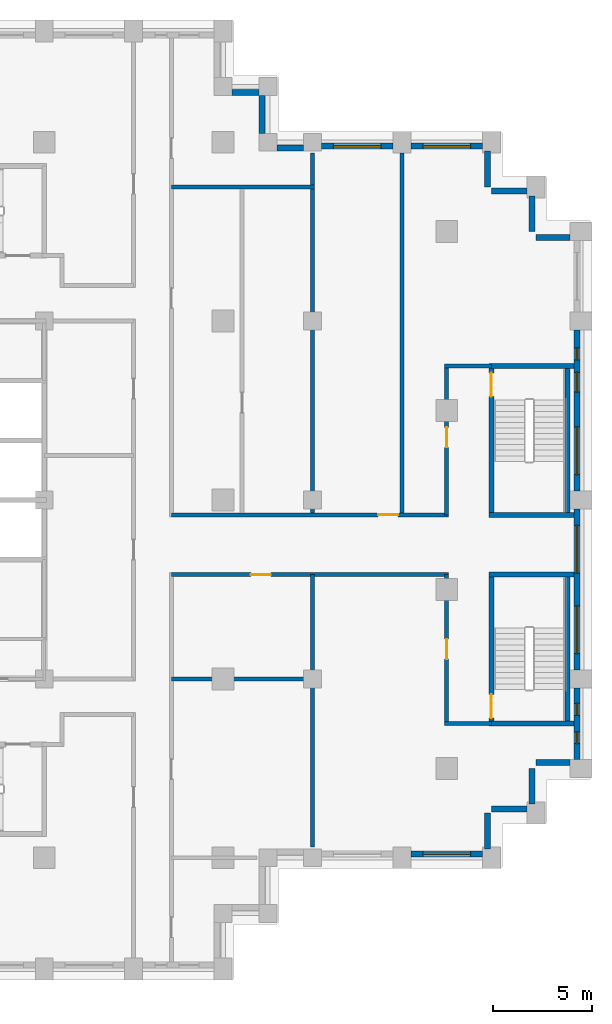
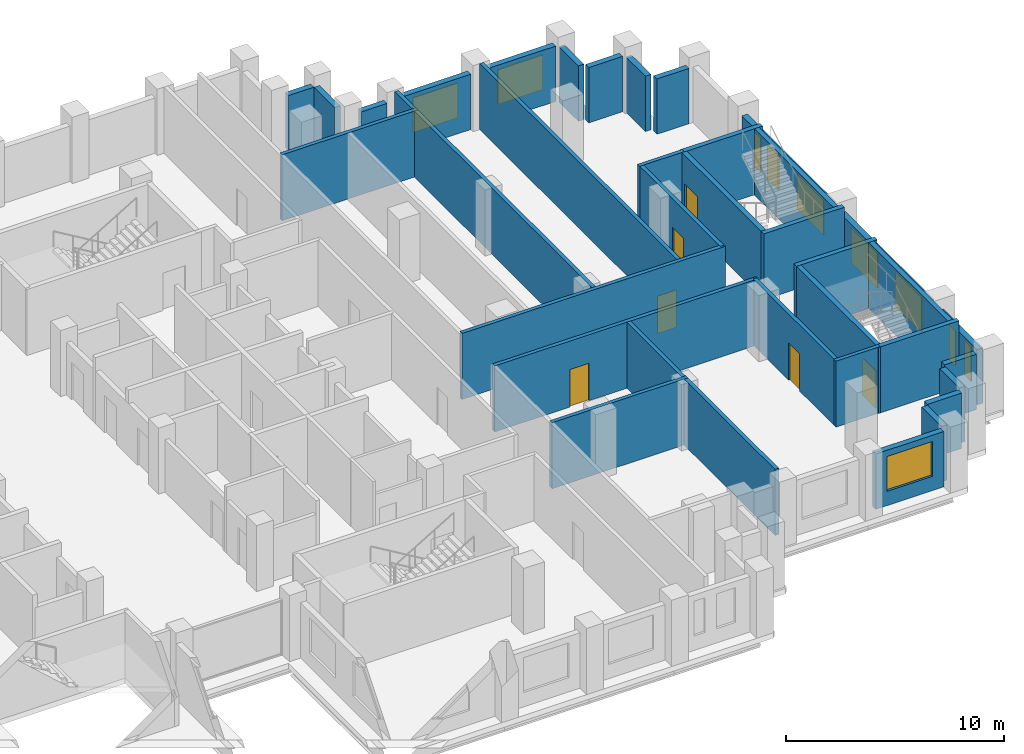
# One storey, part 12 of 16: 36 walls, 10 windows, 6 doors, 16 openings.
"""IFC4 building model written with IfcOpenShell, lengths in metres."""

from ifc_helpers import new_model, si_unit, direction, frame, frame_2d, origin, place, context, subcontext, project, spatial, rectangle, extrude, material, layer, layer_set, type_object, element, fill, save


model = new_model("IFC4")

# Units and contexts
model_context = context("Model", 3, precision=1e-05, world=origin(), true_north=direction((0.0, 1.0)))
body_context = subcontext(model_context, "Body", "Model", "MODEL_VIEW")
ifc_project = project(units=[si_unit("LENGTHUNIT", "METRE"), si_unit("AREAUNIT", "SQUARE_METRE"), si_unit("VOLUMEUNIT", "CUBIC_METRE"), si_unit("PLANEANGLEUNIT", "RADIAN"), si_unit("MASSUNIT", "GRAM", prefix="KILO")], contexts=[model_context])

# Site, building, storey
site_placement = place(None, origin())
site = spatial("IfcSite", under=ifc_project, at=site_placement, CompositionType="ELEMENT")
building_placement = place(site_placement, origin())
building = spatial("IfcBuilding", under=site, at=building_placement, Name="Corbelhall Arena Tower", CompositionType="ELEMENT")
storey_placement = place(building_placement, frame((0.0, 0.0, 158.0)))
storey = spatial("IfcBuildingStorey", under=building, at=storey_placement, Name="L31", CompositionType="ELEMENT", Elevation=158.0)

# Walls
ifc_material_1 = material(Name="Precast concrete C40/50 with granite facing", Category="masonry")
ifc_layer_1 = layer(ifc_material_1, 0.300048828125)
ifc_layer_set_1 = layer_set([ifc_layer_1], Name="EV-IW1 Infill panel 300")
wall_type_1 = type_object("IfcWallType", Name="EV-IW1 Infill panel 300", PredefinedType="SOLIDWALL", material=ifc_layer_set_1)
for number, where, z_axis, x_axis, name in (
    (1, (35.800048828125, -17.550048828125, 0.0), (0.0, 0.0, 1.0), (0.0, 1.0, 0.0), "Infill panel IW1"),
    (2, (37.800048828125, -15.550048828125, 0.0), (0.0, 0.0, 1.0), (-1.0, 0.0, 0.0), "Infill panel IW1"),
    (3, (38.050048828125, -15.300048828125, 0.0), (0.0, 0.0, 1.0), (0.0, 1.0, 0.0), "Infill panel IW1"),
):
    element("IfcWall", number, at=place(storey_placement, frame(where, z_axis=z_axis, x_axis=x_axis)), inside=storey, type_object=wall_type_1, Name=name, PredefinedType="SOLIDWALL", context=body_context, shape_type="SweptSolid", body=[
        extrude(rectangle(XDim=1.800048828125, YDim=0.300048828125, at=frame_2d((0.89990234375, 0.0))), origin(), (0.0, 0.0, 1.0), 3.10009765625),
    ])
for number, where, z_axis, x_axis, name in (
    (4, (39.949951171875, -13.199951171875, 0.0), (0.0, 0.0, 1.0), (-1.0, 0.0, 0.0), "Infill panel IW1"),
    (5, (39.949951171875, 13.199951171875, 0.0), (0.0, 0.0, 1.0), (-1.0, 0.0, 0.0), "Infill panel IW1"),
):
    element("IfcWall", number, at=place(storey_placement, frame(where, z_axis=z_axis, x_axis=x_axis)), inside=storey, type_object=wall_type_1, Name=name, PredefinedType="SOLIDWALL", context=body_context, shape_type="SweptSolid", body=[
        extrude(rectangle(XDim=1.699951171875, YDim=0.300048828125, at=frame_2d((0.85009765625, 0.0))), origin(), (0.0, 0.0, 1.0), 3.10009765625),
    ])
for number, where, z_axis, x_axis, name in (
    (6, (38.050048828125, 15.300048828125, 0.0), (0.0, 0.0, 1.0), (0.0, -1.0, 0.0), "Infill panel IW1"),
    (7, (37.800048828125, 15.550048828125, 0.0), (0.0, 0.0, 1.0), (-1.0, 0.0, 0.0), "Infill panel IW1"),
    (8, (35.800048828125, 17.550048828125, 0.0), (0.0, 0.0, 1.0), (0.0, -1.0, 0.0), "Infill panel IW1"),
):
    element("IfcWall", number, at=place(storey_placement, frame(where, z_axis=z_axis, x_axis=x_axis)), inside=storey, type_object=wall_type_1, Name=name, PredefinedType="SOLIDWALL", context=body_context, shape_type="SweptSolid", body=[
        extrude(rectangle(XDim=1.800048828125, YDim=0.300048828125, at=frame_2d((0.89990234375, 0.0))), origin(), (0.0, 0.0, 1.0), 3.10009765625),
    ])

# Wall, opening, window
wall_1_placement = place(storey_placement, frame((31.949951171875, -17.800048828125, 0.0), z_axis=(0.0, 0.0, 1.0), x_axis=(1.0, 0.0, 0.0)))
wall_1 = element("IfcWall", 9, at=wall_1_placement, inside=storey, type_object=wall_type_1, Name="Infill panel IW1", PredefinedType="SOLIDWALL", context=body_context, shape_type="SweptSolid", body=[
    extrude(rectangle(XDim=3.60009765625, YDim=0.300048828125, at=frame_2d((1.800048828125, 0.0))), origin(), (0.0, 0.0, 1.0), 3.10009765625),
])
opening_1_placement = place(wall_1_placement, frame((0.60009765625, 0.0, 0.800048828125)))
opening_1 = element("IfcOpeningElement", 10, at=opening_1_placement, cuts=wall_1, Name="Opening WN1", PredefinedType="OPENING", context=body_context, shape_type="SweptSolid", body=[
    extrude(rectangle(XDim=2.39990234375, YDim=1.949951171875, at=frame_2d((1.199951171875, 0.97509765625))), frame((0.0, 0.14990234375, 0.0), z_axis=(0.0, -1.0, 0.0), x_axis=(1.0, 0.0, 0.0)), (0.0, 0.0, 1.0), 0.300048828125),
])
ifc_material_2 = material(Name="Aluminium black anodised", Category="aluminium")
window_type_1 = type_object("IfcWindowType", Name="EV-WN1 Office window", PartitioningType="SINGLE_PANEL", PredefinedType="WINDOW", material=ifc_material_2)
window_1_placement = place(opening_1_placement, origin())
window_1 = element("IfcWindow", 11, at=window_1_placement, inside=storey, type_object=window_type_1, Name="Window WN1", OverallHeight=1.949951171875, OverallWidth=2.39990234375, PartitioningType="SINGLE_PANEL", PredefinedType="WINDOW", context=body_context, shape_type="SweptSolid", body=[
    extrude(rectangle(XDim=2.39990234375, YDim=1.949951171875, at=frame_2d((1.199951171875, 0.97509765625))), frame((0.0, 0.030029296875, 0.0), z_axis=(0.0, -1.0, 0.0), x_axis=(1.0, 0.0, 0.0)), (0.0, 0.0, 1.0), 0.06005859375),
])
fill(opening_1, window_1)

# Wall, openings, windows
wall_2_placement = place(storey_placement, frame((40.300048828125, -13.050048828125, 0.0), z_axis=(0.0, 0.0, 1.0), x_axis=(0.0, 1.0, 0.0)))
wall_2 = element("IfcWall", 12, at=wall_2_placement, inside=storey, type_object=wall_type_1, Name="Infill panel IW1", PredefinedType="SOLIDWALL", context=body_context, shape_type="SweptSolid", body=[
    extrude(rectangle(XDim=3.60009765625, YDim=0.300048828125, at=frame_2d((1.800048828125, 0.0))), origin(), (0.0, 0.0, 1.0), 3.10009765625),
])
opening_2_placement = place(wall_2_placement, frame((0.78759765625, 0.0, 0.800048828125)))
opening_2 = element("IfcOpeningElement", 13, at=opening_2_placement, cuts=wall_2, Name="Opening WN5", PredefinedType="OPENING", context=body_context, shape_type="SweptSolid", body=[
    extrude(rectangle(XDim=0.60009765625, YDim=1.949951171875, at=frame_2d((0.300048828125, 0.97509765625))), frame((0.0, 0.14990234375, 0.0), z_axis=(0.0, -1.0, 0.0), x_axis=(1.0, 0.0, 0.0)), (0.0, 0.0, 1.0), 0.300048828125),
])
opening_3_placement = place(wall_2_placement, frame((2.21240234375, 0.0, 0.800048828125)))
opening_3 = element("IfcOpeningElement", 14, at=opening_3_placement, cuts=wall_2, Name="Opening WN5", PredefinedType="OPENING", context=body_context, shape_type="SweptSolid", body=[
    extrude(rectangle(XDim=0.60009765625, YDim=1.949951171875, at=frame_2d((0.300048828125, 0.97509765625))), frame((0.0, 0.14990234375, 0.0), z_axis=(0.0, -1.0, 0.0), x_axis=(1.0, 0.0, 0.0)), (0.0, 0.0, 1.0), 0.300048828125),
])
window_type_2 = type_object("IfcWindowType", Name="EV-WN5 Office window 600", PartitioningType="SINGLE_PANEL", PredefinedType="WINDOW", material=ifc_material_2)
window_2_placement = place(opening_2_placement, origin())
window_2 = element("IfcWindow", 15, at=window_2_placement, inside=storey, type_object=window_type_2, Name="Window WN5", OverallHeight=1.949951171875, OverallWidth=0.60009765625, PartitioningType="SINGLE_PANEL", PredefinedType="WINDOW", context=body_context, shape_type="SweptSolid", body=[
    extrude(rectangle(XDim=0.60009765625, YDim=1.949951171875, at=frame_2d((0.300048828125, 0.97509765625))), frame((0.0, 0.030029296875, 0.0), z_axis=(0.0, -1.0, 0.0), x_axis=(1.0, 0.0, 0.0)), (0.0, 0.0, 1.0), 0.06005859375),
])
fill(opening_2, window_2)
window_3_placement = place(opening_3_placement, origin())
window_3 = element("IfcWindow", 16, at=window_3_placement, inside=storey, type_object=window_type_2, Name="Window WN5", OverallHeight=1.949951171875, OverallWidth=0.60009765625, PartitioningType="SINGLE_PANEL", PredefinedType="WINDOW", context=body_context, shape_type="SweptSolid", body=[
    extrude(rectangle(XDim=0.60009765625, YDim=1.949951171875, at=frame_2d((0.300048828125, 0.97509765625))), frame((0.0, 0.030029296875, 0.0), z_axis=(0.0, -1.0, 0.0), x_axis=(1.0, 0.0, 0.0)), (0.0, 0.0, 1.0), 0.06005859375),
])
fill(opening_3, window_3)

wall_3_placement = place(storey_placement, frame((40.300048828125, -8.550048828125, 0.0), z_axis=(0.0, 0.0, 1.0), x_axis=(0.0, 1.0, 0.0)))
wall_3 = element("IfcWall", 17, at=wall_3_placement, inside=storey, type_object=wall_type_1, Name="Infill panel IW1", PredefinedType="SOLIDWALL", context=body_context, shape_type="SweptSolid", body=[
    extrude(rectangle(XDim=8.10009765625, YDim=0.300048828125, at=frame_2d((4.050048828125, 0.0))), origin(), (0.0, 0.0, 1.0), 3.10009765625),
])
opening_4_placement = place(wall_3_placement, frame((0.824951171875, 0.0, 0.800048828125)))
opening_4 = element("IfcOpeningElement", 18, at=opening_4_placement, cuts=wall_3, Name="Opening WN1", PredefinedType="OPENING", context=body_context, shape_type="SweptSolid", body=[
    extrude(rectangle(XDim=2.39990234375, YDim=1.949951171875, at=frame_2d((1.199951171875, 0.97509765625))), frame((0.0, 0.14990234375, 0.0), z_axis=(0.0, -1.0, 0.0), x_axis=(1.0, 0.0, 0.0)), (0.0, 0.0, 1.0), 0.300048828125),
])
opening_5_placement = place(wall_3_placement, frame((4.875, 0.0, 0.800048828125)))
opening_5 = element("IfcOpeningElement", 19, at=opening_5_placement, cuts=wall_3, Name="Opening WN1", PredefinedType="OPENING", context=body_context, shape_type="SweptSolid", body=[
    extrude(rectangle(XDim=2.39990234375, YDim=1.949951171875, at=frame_2d((1.199951171875, 0.97509765625))), frame((0.0, 0.14990234375, 0.0), z_axis=(0.0, -1.0, 0.0), x_axis=(1.0, 0.0, 0.0)), (0.0, 0.0, 1.0), 0.300048828125),
])
window_4_placement = place(opening_4_placement, origin())
window_4 = element("IfcWindow", 20, at=window_4_placement, inside=storey, type_object=window_type_1, Name="Window WN1", OverallHeight=1.949951171875, OverallWidth=2.39990234375, PartitioningType="SINGLE_PANEL", PredefinedType="WINDOW", context=body_context, shape_type="SweptSolid", body=[
    extrude(rectangle(XDim=2.39990234375, YDim=1.949951171875, at=frame_2d((1.199951171875, 0.97509765625))), frame((0.0, 0.030029296875, 0.0), z_axis=(0.0, -1.0, 0.0), x_axis=(1.0, 0.0, 0.0)), (0.0, 0.0, 1.0), 0.06005859375),
])
fill(opening_4, window_4)
window_5_placement = place(opening_5_placement, origin())
window_5 = element("IfcWindow", 21, at=window_5_placement, inside=storey, type_object=window_type_1, Name="Window WN1", OverallHeight=1.949951171875, OverallWidth=2.39990234375, PartitioningType="SINGLE_PANEL", PredefinedType="WINDOW", context=body_context, shape_type="SweptSolid", body=[
    extrude(rectangle(XDim=2.39990234375, YDim=1.949951171875, at=frame_2d((1.199951171875, 0.97509765625))), frame((0.0, 0.030029296875, 0.0), z_axis=(0.0, -1.0, 0.0), x_axis=(1.0, 0.0, 0.0)), (0.0, 0.0, 1.0), 0.06005859375),
])
fill(opening_5, window_5)

wall_4_placement = place(storey_placement, frame((40.300048828125, 0.449951171875, 0.0), z_axis=(0.0, 0.0, 1.0), x_axis=(0.0, 1.0, 0.0)))
wall_4 = element("IfcWall", 22, at=wall_4_placement, inside=storey, type_object=wall_type_1, Name="Infill panel IW1", PredefinedType="SOLIDWALL", context=body_context, shape_type="SweptSolid", body=[
    extrude(rectangle(XDim=8.10009765625, YDim=0.300048828125, at=frame_2d((4.050048828125, 0.0))), origin(), (0.0, 0.0, 1.0), 3.10009765625),
])
opening_6_placement = place(wall_4_placement, frame((0.824951171875, 0.0, 0.800048828125)))
opening_6 = element("IfcOpeningElement", 23, at=opening_6_placement, cuts=wall_4, Name="Opening WN1", PredefinedType="OPENING", context=body_context, shape_type="SweptSolid", body=[
    extrude(rectangle(XDim=2.39990234375, YDim=1.949951171875, at=frame_2d((1.199951171875, 0.97509765625))), frame((0.0, 0.14990234375, 0.0), z_axis=(0.0, -1.0, 0.0), x_axis=(1.0, 0.0, 0.0)), (0.0, 0.0, 1.0), 0.300048828125),
])
opening_7_placement = place(wall_4_placement, frame((4.97509765625, 0.0, 0.800048828125)))
opening_7 = element("IfcOpeningElement", 24, at=opening_7_placement, cuts=wall_4, Name="Opening WN6", PredefinedType="OPENING", context=body_context, shape_type="SweptSolid", body=[
    extrude(rectangle(XDim=1.0, YDim=1.949951171875, at=frame_2d((0.5, 0.97509765625))), frame((0.0, 0.14990234375, 0.0), z_axis=(0.0, -1.0, 0.0), x_axis=(1.0, 0.0, 0.0)), (0.0, 0.0, 1.0), 0.300048828125),
])
opening_8_placement = place(wall_4_placement, frame((6.60009765625, 0.0, 0.800048828125)))
opening_8 = element("IfcOpeningElement", 25, at=opening_8_placement, cuts=wall_4, Name="Opening WN5", PredefinedType="OPENING", context=body_context, shape_type="SweptSolid", body=[
    extrude(rectangle(XDim=0.60009765625, YDim=1.949951171875, at=frame_2d((0.300048828125, 0.97509765625))), frame((0.0, 0.14990234375, 0.0), z_axis=(0.0, -1.0, 0.0), x_axis=(1.0, 0.0, 0.0)), (0.0, 0.0, 1.0), 0.300048828125),
])
window_6_placement = place(opening_6_placement, origin())
window_6 = element("IfcWindow", 26, at=window_6_placement, inside=storey, type_object=window_type_1, Name="Window WN1", OverallHeight=1.949951171875, OverallWidth=2.39990234375, PartitioningType="SINGLE_PANEL", PredefinedType="WINDOW", context=body_context, shape_type="SweptSolid", body=[
    extrude(rectangle(XDim=2.39990234375, YDim=1.949951171875, at=frame_2d((1.199951171875, 0.97509765625))), frame((0.0, 0.030029296875, 0.0), z_axis=(0.0, -1.0, 0.0), x_axis=(1.0, 0.0, 0.0)), (0.0, 0.0, 1.0), 0.06005859375),
])
fill(opening_6, window_6)
window_7_placement = place(opening_8_placement, origin())
window_7 = element("IfcWindow", 27, at=window_7_placement, inside=storey, type_object=window_type_2, Name="Window WN5", OverallHeight=1.949951171875, OverallWidth=0.60009765625, PartitioningType="SINGLE_PANEL", PredefinedType="WINDOW", context=body_context, shape_type="SweptSolid", body=[
    extrude(rectangle(XDim=0.60009765625, YDim=1.949951171875, at=frame_2d((0.300048828125, 0.97509765625))), frame((0.0, 0.030029296875, 0.0), z_axis=(0.0, -1.0, 0.0), x_axis=(1.0, 0.0, 0.0)), (0.0, 0.0, 1.0), 0.06005859375),
])
fill(opening_8, window_7)
window_type_3 = type_object("IfcWindowType", Name="EV-WN6 Office window 1000", PartitioningType="SINGLE_PANEL", PredefinedType="WINDOW", material=ifc_material_2)
window_8_placement = place(opening_7_placement, origin())
window_8 = element("IfcWindow", 28, at=window_8_placement, inside=storey, type_object=window_type_3, Name="Window WN6", OverallHeight=1.949951171875, OverallWidth=1.0, PartitioningType="SINGLE_PANEL", PredefinedType="WINDOW", context=body_context, shape_type="SweptSolid", body=[
    extrude(rectangle(XDim=1.0, YDim=1.949951171875, at=frame_2d((0.5, 0.97509765625))), frame((0.0, 0.030029296875, 0.0), z_axis=(0.0, -1.0, 0.0), x_axis=(1.0, 0.0, 0.0)), (0.0, 0.0, 1.0), 0.06005859375),
])
fill(opening_7, window_8)

# Wall, opening, window
wall_5_placement = place(storey_placement, frame((35.550048828125, 17.800048828125, 0.0), z_axis=(0.0, 0.0, 1.0), x_axis=(-1.0, 0.0, 0.0)))
wall_5 = element("IfcWall", 29, at=wall_5_placement, inside=storey, type_object=wall_type_1, Name="Infill panel IW1", PredefinedType="SOLIDWALL", context=body_context, shape_type="SweptSolid", body=[
    extrude(rectangle(XDim=3.60009765625, YDim=0.300048828125, at=frame_2d((1.800048828125, 0.0))), origin(), (0.0, 0.0, 1.0), 3.10009765625),
])
opening_9_placement = place(wall_5_placement, frame((0.60009765625, 0.0, 0.800048828125)))
opening_9 = element("IfcOpeningElement", 30, at=opening_9_placement, cuts=wall_5, Name="Opening WN1", PredefinedType="OPENING", context=body_context, shape_type="SweptSolid", body=[
    extrude(rectangle(XDim=2.39990234375, YDim=1.949951171875, at=frame_2d((1.199951171875, 0.97509765625))), frame((0.0, 0.14990234375, 0.0), z_axis=(0.0, -1.0, 0.0), x_axis=(1.0, 0.0, 0.0)), (0.0, 0.0, 1.0), 0.300048828125),
])
window_9_placement = place(opening_9_placement, origin())
window_9 = element("IfcWindow", 31, at=window_9_placement, inside=storey, type_object=window_type_1, Name="Window WN1", OverallHeight=1.949951171875, OverallWidth=2.39990234375, PartitioningType="SINGLE_PANEL", PredefinedType="WINDOW", context=body_context, shape_type="SweptSolid", body=[
    extrude(rectangle(XDim=2.39990234375, YDim=1.949951171875, at=frame_2d((1.199951171875, 0.97509765625))), frame((0.0, 0.030029296875, 0.0), z_axis=(0.0, -1.0, 0.0), x_axis=(1.0, 0.0, 0.0)), (0.0, 0.0, 1.0), 0.06005859375),
])
fill(opening_9, window_9)

wall_6_placement = place(storey_placement, frame((31.050048828125, 17.800048828125, 0.0), z_axis=(0.0, 0.0, 1.0), x_axis=(-1.0, 0.0, 0.0)))
wall_6 = element("IfcWall", 32, at=wall_6_placement, inside=storey, type_object=wall_type_1, Name="Infill panel IW1", PredefinedType="SOLIDWALL", context=body_context, shape_type="SweptSolid", body=[
    extrude(rectangle(XDim=3.60009765625, YDim=0.300048828125, at=frame_2d((1.800048828125, 0.0))), origin(), (0.0, 0.0, 1.0), 3.10009765625),
])
opening_10_placement = place(wall_6_placement, frame((0.60009765625, 0.0, 0.800048828125)))
opening_10 = element("IfcOpeningElement", 33, at=opening_10_placement, cuts=wall_6, Name="Opening WN1", PredefinedType="OPENING", context=body_context, shape_type="SweptSolid", body=[
    extrude(rectangle(XDim=2.39990234375, YDim=1.949951171875, at=frame_2d((1.199951171875, 0.97509765625))), frame((0.0, 0.14990234375, 0.0), z_axis=(0.0, -1.0, 0.0), x_axis=(1.0, 0.0, 0.0)), (0.0, 0.0, 1.0), 0.300048828125),
])
window_10_placement = place(opening_10_placement, origin())
window_10 = element("IfcWindow", 34, at=window_10_placement, inside=storey, type_object=window_type_1, Name="Window WN1", OverallHeight=1.949951171875, OverallWidth=2.39990234375, PartitioningType="SINGLE_PANEL", PredefinedType="WINDOW", context=body_context, shape_type="SweptSolid", body=[
    extrude(rectangle(XDim=2.39990234375, YDim=1.949951171875, at=frame_2d((1.199951171875, 0.97509765625))), frame((0.0, 0.030029296875, 0.0), z_axis=(0.0, -1.0, 0.0), x_axis=(1.0, 0.0, 0.0)), (0.0, 0.0, 1.0), 0.06005859375),
])
fill(opening_10, window_10)

# Walls
wall_7_placement = place(storey_placement, frame((26.550048828125, 17.699951171875, 0.0), z_axis=(0.0, 0.0, 1.0), x_axis=(-1.0, 0.0, 0.0)))
element("IfcWall", 35, at=wall_7_placement, inside=storey, type_object=wall_type_1, Name="Infill panel IW1", PredefinedType="SOLIDWALL", context=body_context, shape_type="SweptSolid", body=[
    extrude(rectangle(XDim=1.35009765625, YDim=0.300048828125, at=frame_2d((0.675048828125, 0.0))), origin(), (0.0, 0.0, 1.0), 3.10009765625),
])
wall_8_placement = place(storey_placement, frame((24.449951171875, 18.449951171875, 0.0), z_axis=(0.0, 0.0, 1.0), x_axis=(0.0, 1.0, 0.0)))
element("IfcWall", 36, at=wall_8_placement, inside=storey, type_object=wall_type_1, Name="Infill panel IW1", PredefinedType="SOLIDWALL", context=body_context, shape_type="SweptSolid", body=[
    extrude(rectangle(XDim=1.900146484375, YDim=0.300048828125, at=frame_2d((0.9501953125, 0.0))), origin(), (0.0, 0.0, 1.0), 3.10009765625),
])
wall_9_placement = place(storey_placement, frame((24.300048828125, 20.5, 0.0), z_axis=(0.0, 0.0, 1.0), x_axis=(-1.0, 0.0, 0.0)))
element("IfcWall", 37, at=wall_9_placement, inside=storey, type_object=wall_type_1, Name="Infill panel IW1", PredefinedType="SOLIDWALL", context=body_context, shape_type="SweptSolid", body=[
    extrude(rectangle(XDim=1.35009765625, YDim=0.300048828125, at=frame_2d((0.675048828125, 0.0))), origin(), (0.0, 0.0, 1.0), 3.10009765625),
])
ifc_material_3 = material(Name="Gypsum board on steel stud, acoustic", Category="steel")
ifc_layer_2 = layer(ifc_material_3, 0.199951171875)
ifc_layer_set_2 = layer_set([ifc_layer_2], Name="IN-W-DM200")
wall_type_2 = type_object("IfcWallType", Name="IN-W-DM200", PredefinedType="PARTITIONING", material=ifc_layer_set_2)
wall_10_placement = place(storey_placement, frame((19.89990234375, -9.0, 0.0), z_axis=(0.0, 0.0, 1.0), x_axis=(1.0, 0.0, 0.0)))
element("IfcWall", 38, at=wall_10_placement, inside=storey, type_object=wall_type_2, Name="Partition 051", PredefinedType="PARTITIONING", context=body_context, shape_type="SweptSolid", body=[
    extrude(rectangle(XDim=7.2001953125, YDim=0.199951171875, at=frame_2d((3.60009765625, 0.0))), origin(), (0.0, 0.0, 1.0), 3.699951171875),
])

# Wall, opening, door
wall_11_placement = place(storey_placement, frame((19.89990234375, -0.75, 0.0), z_axis=(0.0, 0.0, 1.0), x_axis=(1.0, 0.0, 0.0)))
wall_11 = element("IfcWall", 39, at=wall_11_placement, inside=storey, type_object=wall_type_2, Name="Partition 052", PredefinedType="PARTITIONING", context=body_context, shape_type="SweptSolid", body=[
    extrude(rectangle(XDim=13.9501953125, YDim=0.199951171875, at=frame_2d((6.97509765625, 0.0))), origin(), (0.0, 0.0, 1.0), 3.699951171875),
])
opening_11_placement = place(wall_11_placement, frame((10.39990234375, 0.0, 0.0)))
opening_11 = element("IfcOpeningElement", 40, at=opening_11_placement, cuts=wall_11, Name="Opening 08045", PredefinedType="OPENING", context=body_context, shape_type="SweptSolid", body=[
    extrude(rectangle(XDim=1.0, YDim=2.10009765625, at=frame_2d((0.5, 1.050048828125))), frame((0.0, 0.10009765625, 0.0), z_axis=(0.0, -1.0, 0.0), x_axis=(1.0, 0.0, 0.0)), (0.0, 0.0, 1.0), 0.199951171875),
])
ifc_material_4 = material(Name="Steel door set", Category="steel")
door_type_1 = type_object("IfcDoorType", Name="IN-D-SW100", OperationType="NOTDEFINED", PredefinedType="DOOR", material=ifc_material_4)
door_1_placement = place(opening_11_placement, origin())
door_1 = element("IfcDoor", 41, at=door_1_placement, inside=storey, type_object=door_type_1, Name="Door 045", OperationType="SINGLE_SWING_RIGHT", OverallHeight=2.10009765625, OverallWidth=1.0, PredefinedType="DOOR", context=body_context, shape_type="SweptSolid", body=[
    extrude(rectangle(XDim=1.0, YDim=2.10009765625, at=frame_2d((0.5, 1.050048828125))), frame((0.0, 0.02490234375, 0.0), z_axis=(0.0, -1.0, 0.0), x_axis=(1.0, 0.0, 0.0)), (0.0, 0.0, 1.0), 0.050048828125),
])
fill(opening_11, door_1)

# Walls
wall_12_placement = place(storey_placement, frame((19.89990234375, 15.75, 0.0), z_axis=(0.0, 0.0, 1.0), x_axis=(1.0, 0.0, 0.0)))
element("IfcWall", 42, at=wall_12_placement, inside=storey, type_object=wall_type_2, Name="Partition 053", PredefinedType="PARTITIONING", context=body_context, shape_type="SweptSolid", body=[
    extrude(rectangle(XDim=7.2001953125, YDim=0.199951171875, at=frame_2d((3.60009765625, 0.0))), origin(), (0.0, 0.0, 1.0), 3.699951171875),
])
wall_13_placement = place(storey_placement, frame((27.0, -3.75, 0.0), z_axis=(0.0, 0.0, 1.0), x_axis=(0.0, -1.0, 0.0)))
element("IfcWall", 43, at=wall_13_placement, inside=storey, type_object=wall_type_2, Name="Partition 056", PredefinedType="PARTITIONING", context=body_context, shape_type="SweptSolid", body=[
    extrude(rectangle(XDim=13.699951171875, YDim=0.199951171875, at=frame_2d((6.85009765625, 0.0))), origin(), (0.0, 0.0, 1.0), 3.699951171875),
])
wall_14_placement = place(storey_placement, frame((27.0, 17.449951171875, 0.0), z_axis=(0.0, 0.0, 1.0), x_axis=(0.0, -1.0, 0.0)))
element("IfcWall", 44, at=wall_14_placement, inside=storey, type_object=wall_type_2, Name="Partition 057", PredefinedType="PARTITIONING", context=body_context, shape_type="SweptSolid", body=[
    extrude(rectangle(XDim=18.199951171875, YDim=0.199951171875, at=frame_2d((9.10009765625, 0.0))), origin(), (0.0, 0.0, 1.0), 3.699951171875),
])

# Wall, opening, door
wall_15_placement = place(storey_placement, frame((33.85009765625, -3.75, 0.0), z_axis=(0.0, 0.0, 1.0), x_axis=(-1.0, 0.0, 0.0)))
wall_15 = element("IfcWall", 45, at=wall_15_placement, inside=storey, type_object=wall_type_2, Name="Partition 058", PredefinedType="PARTITIONING", context=body_context, shape_type="SweptSolid", body=[
    extrude(rectangle(XDim=13.9501953125, YDim=0.199951171875, at=frame_2d((6.97509765625, 0.0))), origin(), (0.0, 0.0, 1.0), 3.699951171875),
])
opening_12_placement = place(wall_15_placement, frame((8.949951171875, 0.0, 0.0)))
opening_12 = element("IfcOpeningElement", 46, at=opening_12_placement, cuts=wall_15, Name="Opening 08041", PredefinedType="OPENING", context=body_context, shape_type="SweptSolid", body=[
    extrude(rectangle(XDim=1.0, YDim=2.10009765625, at=frame_2d((0.5, 1.050048828125))), frame((0.0, 0.10009765625, 0.0), z_axis=(0.0, -1.0, 0.0), x_axis=(1.0, 0.0, 0.0)), (0.0, 0.0, 1.0), 0.199951171875),
])
door_2_placement = place(opening_12_placement, origin())
door_2 = element("IfcDoor", 47, at=door_2_placement, inside=storey, type_object=door_type_1, Name="Door 041", OperationType="SINGLE_SWING_RIGHT", OverallHeight=2.10009765625, OverallWidth=1.0, PredefinedType="DOOR", context=body_context, shape_type="SweptSolid", body=[
    extrude(rectangle(XDim=1.0, YDim=2.10009765625, at=frame_2d((0.5, 1.050048828125))), frame((0.0, 0.02490234375, 0.0), z_axis=(0.0, -1.0, 0.0), x_axis=(1.0, 0.0, 0.0)), (0.0, 0.0, 1.0), 0.050048828125),
])
fill(opening_12, door_2)

# Walls
wall_16_placement = place(storey_placement, frame((31.5, 17.449951171875, 0.0), z_axis=(0.0, 0.0, 1.0), x_axis=(0.0, -1.0, 0.0)))
element("IfcWall", 48, at=wall_16_placement, inside=storey, type_object=wall_type_2, Name="Partition 059", PredefinedType="PARTITIONING", context=body_context, shape_type="SweptSolid", body=[
    extrude(rectangle(XDim=18.199951171875, YDim=0.199951171875, at=frame_2d((9.10009765625, 0.0))), origin(), (0.0, 0.0, 1.0), 3.699951171875),
])
wall_17_placement = place(storey_placement, frame((33.64990234375, 6.75, 0.0), z_axis=(0.0, 0.0, 1.0), x_axis=(1.0, 0.0, 0.0)))
element("IfcWall", 49, at=wall_17_placement, inside=storey, type_object=wall_type_2, Name="Partition 060", PredefinedType="PARTITIONING", context=body_context, shape_type="SweptSolid", body=[
    extrude(rectangle(XDim=2.35009765625, YDim=0.199951171875, at=frame_2d((1.175048828125, 0.0))), origin(), (0.0, 0.0, 1.0), 3.699951171875),
])

# Wall, opening, door
wall_18_placement = place(storey_placement, frame((33.75, -11.25, 0.0), z_axis=(0.0, 0.0, 1.0), x_axis=(0.0, 1.0, 0.0)))
wall_18 = element("IfcWall", 50, at=wall_18_placement, inside=storey, type_object=wall_type_2, Name="Partition 061", PredefinedType="PARTITIONING", context=body_context, shape_type="SweptSolid", body=[
    extrude(rectangle(XDim=7.5, YDim=0.199951171875, at=frame_2d((3.75, 0.0))), origin(), (0.0, 0.0, 1.0), 3.699951171875),
])
opening_13_placement = place(wall_18_placement, frame((3.25, 0.0, 0.0)))
opening_13 = element("IfcOpeningElement", 51, at=opening_13_placement, cuts=wall_18, Name="Opening 08047", PredefinedType="OPENING", context=body_context, shape_type="SweptSolid", body=[
    extrude(rectangle(XDim=1.0, YDim=2.10009765625, at=frame_2d((0.5, 1.050048828125))), frame((0.0, 0.10009765625, 0.0), z_axis=(0.0, -1.0, 0.0), x_axis=(1.0, 0.0, 0.0)), (0.0, 0.0, 1.0), 0.199951171875),
])
door_3_placement = place(opening_13_placement, origin())
door_3 = element("IfcDoor", 52, at=door_3_placement, inside=storey, type_object=door_type_1, Name="Door 047", OperationType="SINGLE_SWING_RIGHT", OverallHeight=2.10009765625, OverallWidth=1.0, PredefinedType="DOOR", context=body_context, shape_type="SweptSolid", body=[
    extrude(rectangle(XDim=1.0, YDim=2.10009765625, at=frame_2d((0.5, 1.050048828125))), frame((0.0, 0.02490234375, 0.0), z_axis=(0.0, -1.0, 0.0), x_axis=(1.0, 0.0, 0.0)), (0.0, 0.0, 1.0), 0.050048828125),
])
fill(opening_13, door_3)

wall_19_placement = place(storey_placement, frame((33.75, -0.75, 0.0), z_axis=(0.0, 0.0, 1.0), x_axis=(0.0, 1.0, 0.0)))
wall_19 = element("IfcWall", 53, at=wall_19_placement, inside=storey, type_object=wall_type_2, Name="Partition 062", PredefinedType="PARTITIONING", context=body_context, shape_type="SweptSolid", body=[
    extrude(rectangle(XDim=7.5, YDim=0.199951171875, at=frame_2d((3.75, 0.0))), origin(), (0.0, 0.0, 1.0), 3.699951171875),
])
opening_14_placement = place(wall_19_placement, frame((3.39990234375, 0.0, 0.0)))
opening_14 = element("IfcOpeningElement", 54, at=opening_14_placement, cuts=wall_19, Name="Opening 08046", PredefinedType="OPENING", context=body_context, shape_type="SweptSolid", body=[
    extrude(rectangle(XDim=1.0, YDim=2.10009765625, at=frame_2d((0.5, 1.050048828125))), frame((0.0, 0.10009765625, 0.0), z_axis=(0.0, -1.0, 0.0), x_axis=(1.0, 0.0, 0.0)), (0.0, 0.0, 1.0), 0.199951171875),
])
door_4_placement = place(opening_14_placement, origin())
door_4 = element("IfcDoor", 55, at=door_4_placement, inside=storey, type_object=door_type_1, Name="Door 046", OperationType="SINGLE_SWING_LEFT", OverallHeight=2.10009765625, OverallWidth=1.0, PredefinedType="DOOR", context=body_context, shape_type="SweptSolid", body=[
    extrude(rectangle(XDim=1.0, YDim=2.10009765625, at=frame_2d((0.5, 1.050048828125))), frame((0.0, 0.02490234375, 0.0), z_axis=(0.0, -1.0, 0.0), x_axis=(1.0, 0.0, 0.0)), (0.0, 0.0, 1.0), 0.050048828125),
])
fill(opening_14, door_4)

# Walls
wall_20_placement = place(storey_placement, frame((36.0, -11.25, 0.0), z_axis=(0.0, 0.0, 1.0), x_axis=(-1.0, 0.0, 0.0)))
element("IfcWall", 56, at=wall_20_placement, inside=storey, type_object=wall_type_2, Name="Partition 063", PredefinedType="PARTITIONING", context=body_context, shape_type="SweptSolid", body=[
    extrude(rectangle(XDim=2.35009765625, YDim=0.199951171875, at=frame_2d((1.175048828125, 0.0))), origin(), (0.0, 0.0, 1.0), 3.699951171875),
])
ifc_material_5 = material(Name="Concrete C40/50", Category="concrete")
ifc_layer_3 = layer(ifc_material_5, 0.25)
ifc_layer_set_3 = layer_set([ifc_layer_3], Name="IN-W-ST250")
wall_type_3 = type_object("IfcWallType", Name="IN-W-ST250", PredefinedType="SOLIDWALL", material=ifc_layer_set_3)
wall_21_placement = place(storey_placement, frame((35.875, -0.75, 0.0), z_axis=(0.0, 0.0, 1.0), x_axis=(1.0, 0.0, 0.0)))
element("IfcWall", 57, at=wall_21_placement, inside=storey, type_object=wall_type_3, Name="Shaft wall 123", PredefinedType="SOLIDWALL", context=body_context, shape_type="SweptSolid", body=[
    extrude(rectangle(XDim=4.27490234375, YDim=0.25, at=frame_2d((2.137451171875, 0.0))), origin(), (0.0, 0.0, 1.0), 3.699951171875),
])

# Wall, opening, door
wall_22_placement = place(storey_placement, frame((36.0, -11.375, 0.0), z_axis=(0.0, 0.0, 1.0), x_axis=(0.0, 1.0, 0.0)))
wall_22 = element("IfcWall", 58, at=wall_22_placement, inside=storey, type_object=wall_type_3, Name="Shaft wall 124", PredefinedType="SOLIDWALL", context=body_context, shape_type="SweptSolid", body=[
    extrude(rectangle(XDim=7.625, YDim=0.25, at=frame_2d((3.8125, 0.0))), origin(), (0.0, 0.0, 1.0), 3.699951171875),
])
opening_15_placement = place(wall_22_placement, frame((0.39990234375, 0.0, 0.0)))
opening_15 = element("IfcOpeningElement", 59, at=opening_15_placement, cuts=wall_22, Name="Opening 08021", PredefinedType="OPENING", context=body_context, shape_type="SweptSolid", body=[
    extrude(rectangle(XDim=1.199951171875, YDim=2.10009765625, at=frame_2d((0.60009765625, 1.050048828125))), frame((0.0, 0.125, 0.0), z_axis=(0.0, -1.0, 0.0), x_axis=(1.0, 0.0, 0.0)), (0.0, 0.0, 1.0), 0.25),
])
door_type_2 = type_object("IfcDoorType", Name="IN-D-ST120", OperationType="NOTDEFINED", PredefinedType="DOOR", material=ifc_material_4)
door_5_placement = place(opening_15_placement, origin())
door_5 = element("IfcDoor", 60, at=door_5_placement, inside=storey, type_object=door_type_2, Name="Door 021", OperationType="SINGLE_SWING_RIGHT", OverallHeight=2.10009765625, OverallWidth=1.199951171875, PredefinedType="DOOR", context=body_context, shape_type="SweptSolid", body=[
    extrude(rectangle(XDim=1.199951171875, YDim=2.10009765625, at=frame_2d((0.60009765625, 1.050048828125))), frame((0.0, 0.02490234375, 0.0), z_axis=(0.0, -1.0, 0.0), x_axis=(1.0, 0.0, 0.0)), (0.0, 0.0, 1.0), 0.050048828125),
])
fill(opening_15, door_5)

wall_23_placement = place(storey_placement, frame((36.0, -0.75, 0.0), z_axis=(0.0, 0.0, 1.0), x_axis=(0.0, 1.0, 0.0)))
wall_23 = element("IfcWall", 61, at=wall_23_placement, inside=storey, type_object=wall_type_3, Name="Shaft wall 125", PredefinedType="SOLIDWALL", context=body_context, shape_type="SweptSolid", body=[
    extrude(rectangle(XDim=7.625, YDim=0.25, at=frame_2d((3.8125, 0.0))), origin(), (0.0, 0.0, 1.0), 3.699951171875),
])
opening_16_placement = place(wall_23_placement, frame((5.949951171875, 0.0, 0.0)))
opening_16 = element("IfcOpeningElement", 62, at=opening_16_placement, cuts=wall_23, Name="Opening 08022", PredefinedType="OPENING", context=body_context, shape_type="SweptSolid", body=[
    extrude(rectangle(XDim=1.199951171875, YDim=2.10009765625, at=frame_2d((0.60009765625, 1.050048828125))), frame((0.0, 0.125, 0.0), z_axis=(0.0, -1.0, 0.0), x_axis=(1.0, 0.0, 0.0)), (0.0, 0.0, 1.0), 0.25),
])
door_6_placement = place(opening_16_placement, origin())
door_6 = element("IfcDoor", 63, at=door_6_placement, inside=storey, type_object=door_type_2, Name="Door 022", OperationType="SINGLE_SWING_LEFT", OverallHeight=2.10009765625, OverallWidth=1.199951171875, PredefinedType="DOOR", context=body_context, shape_type="SweptSolid", body=[
    extrude(rectangle(XDim=1.199951171875, YDim=2.10009765625, at=frame_2d((0.60009765625, 1.050048828125))), frame((0.0, 0.02490234375, 0.0), z_axis=(0.0, -1.0, 0.0), x_axis=(1.0, 0.0, 0.0)), (0.0, 0.0, 1.0), 0.050048828125),
])
fill(opening_16, door_6)

# Walls
for number, where, z_axis, x_axis, name in (
    (64, (36.0, 6.75, 0.0), (0.0, 0.0, 1.0), (1.0, 0.0, 0.0), "Shaft wall 126"),
    (65, (40.14990234375, -11.25, 0.0), (0.0, 0.0, 1.0), (-1.0, 0.0, 0.0), "Shaft wall 127"),
):
    element("IfcWall", number, at=place(storey_placement, frame(where, z_axis=z_axis, x_axis=x_axis)), inside=storey, type_object=wall_type_3, Name=name, PredefinedType="SOLIDWALL", context=body_context, shape_type="SweptSolid", body=[
        extrude(rectangle(XDim=4.14990234375, YDim=0.25, at=frame_2d((2.074951171875, 0.0))), origin(), (0.0, 0.0, 1.0), 3.699951171875),
    ])
wall_24_placement = place(storey_placement, frame((40.14990234375, -3.75, 0.0), z_axis=(0.0, 0.0, 1.0), x_axis=(-1.0, 0.0, 0.0)))
element("IfcWall", 66, at=wall_24_placement, inside=storey, type_object=wall_type_3, Name="Shaft wall 128", PredefinedType="SOLIDWALL", context=body_context, shape_type="SweptSolid", body=[
    extrude(rectangle(XDim=4.27490234375, YDim=0.25, at=frame_2d((2.137451171875, 0.0))), origin(), (0.0, 0.0, 1.0), 3.699951171875),
])
for number, where, z_axis, x_axis, name in (
    (67, (39.824951171875, -11.125, 0.0), (0.0, 0.0, 1.0), (0.0, 1.0, 0.0), "Shaft wall SD1 facade side"),
    (68, (39.824951171875, -0.625, 0.0), (0.0, 0.0, 1.0), (0.0, 1.0, 0.0), "Shaft wall SD2 facade side"),
):
    element("IfcWall", number, at=place(storey_placement, frame(where, z_axis=z_axis, x_axis=x_axis)), inside=storey, type_object=wall_type_3, Name=name, PredefinedType="SOLIDWALL", context=body_context, shape_type="SweptSolid", body=[
        extrude(rectangle(XDim=7.25, YDim=0.25, at=frame_2d((3.625, 0.0))), origin(), (0.0, 0.0, 1.0), 3.699951171875),
    ])

save(model, "model.ifc")
